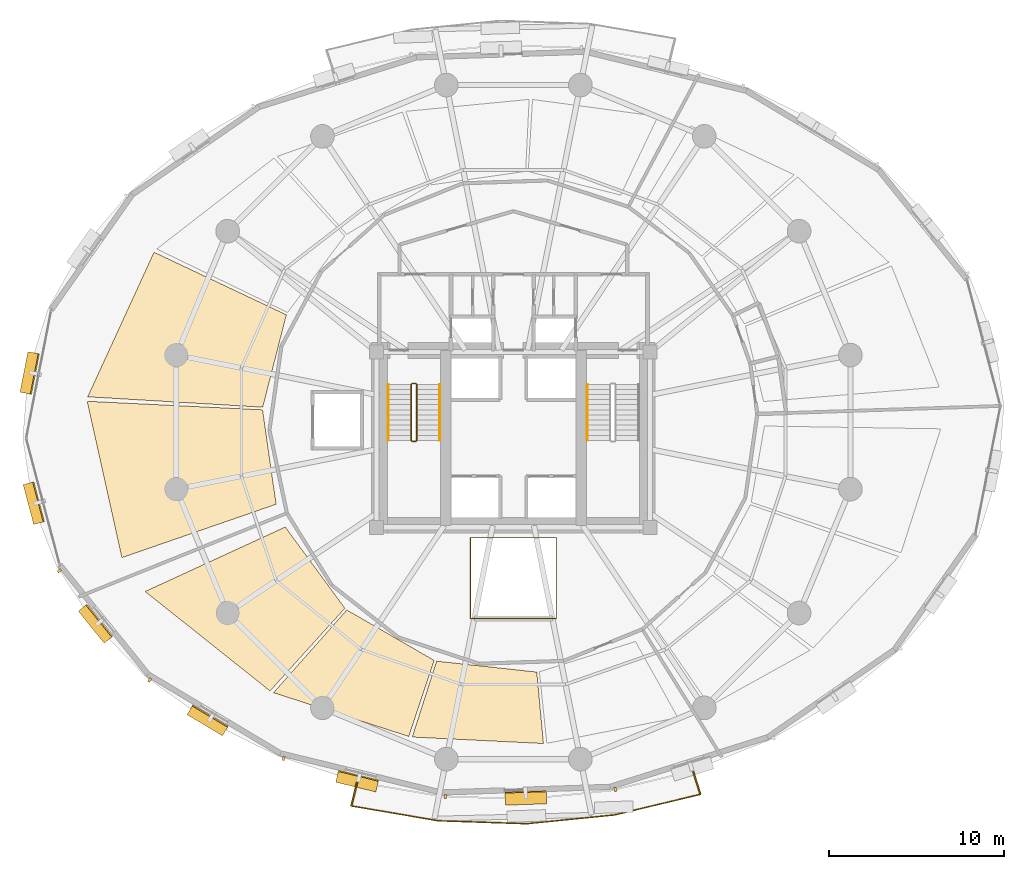
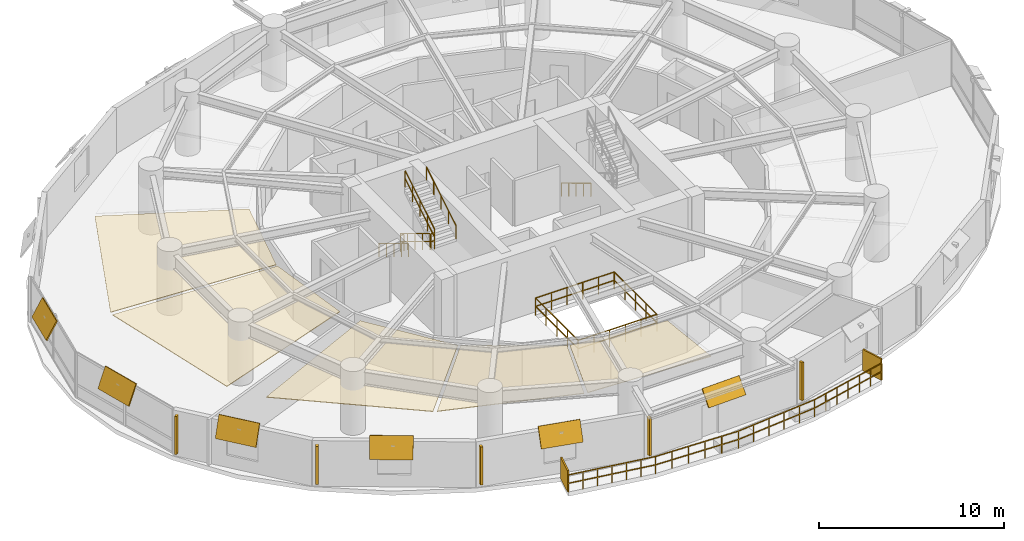
# One storey, part 13 of 15: 13 shading devices, 9 railings, 5 coverings.
"""IFC4 building model written with IfcOpenShell, lengths in metres."""

from ifc_helpers import new_model, si_unit, direction, frame, origin, origin_2d, place, context, subcontext, project, spatial, polyline, rectangle, outline, extrude, material, layer, layer_set, type_object, element, save


model = new_model("IFC4")

# Units and contexts
model_context = context("Model", 3, precision=1e-05, world=origin(), true_north=direction((0.0, 1.0)))
body_context = subcontext(model_context, "Body", "Model", "MODEL_VIEW")
ifc_project = project(units=[si_unit("LENGTHUNIT", "METRE"), si_unit("AREAUNIT", "SQUARE_METRE"), si_unit("VOLUMEUNIT", "CUBIC_METRE"), si_unit("PLANEANGLEUNIT", "RADIAN"), si_unit("MASSUNIT", "GRAM", prefix="KILO"), si_unit("THERMODYNAMICTEMPERATUREUNIT", "KELVIN"), si_unit("POWERUNIT", "WATT")], contexts=[model_context])

# Site, building, storey
site_placement = place(None, origin())
site = spatial("IfcSite", under=ifc_project, at=site_placement, CompositionType="ELEMENT")
building_placement = place(site_placement, origin())
building = spatial("IfcBuilding", under=site, at=building_placement, Name="Ocrelia Relay Tower", CompositionType="ELEMENT")
storey_placement = place(building_placement, frame((0.0, 0.0, 38.39990234375)))
storey = spatial("IfcBuildingStorey", under=building, at=storey_placement, Name="L08", CompositionType="ELEMENT", Elevation=38.39990234375)

# Coverings
ifc_material_1 = material(Name="Cleanroom metal-pan acoustic ceiling", Category="aluminium")
ifc_layer_1 = layer(ifc_material_1, 0.0400390625, Name="Cleanroom metal-pan acoustic ceiling")
ifc_layer_set_1 = layer_set([ifc_layer_1], Name="Cleanroom metal-pan acoustic ceiling")
covering_type = type_object("IfcCoveringType", Name="COV-CEIL-CLEAN", PredefinedType="CEILING", material=ifc_layer_set_1)
covering_1_placement = place(storey_placement, frame((0.0, 0.0, 2.920166015625)))
element("IfcCovering", 1, at=covering_1_placement, inside=storey, type_object=covering_type, Name="L08 Colocation Data Hall A Suspended Ceiling 5", PredefinedType="CEILING", context=body_context, shape_type="SweptSolid", body=[
    extrude(outline(polyline([(21.053466796875, 32.119873046875), (13.504638671875, 35.68798828125), (9.721435546875, 27.4423828125), (19.705078125, 26.849365234375), (21.053466796875, 32.119873046875)])), origin(), (0.0, 0.0, 1.0), 0.0400390625),
])
covering_2_placement = place(storey_placement, frame((0.0, 0.0, 2.920166015625)))
element("IfcCovering", 2, at=covering_2_placement, inside=storey, type_object=covering_type, Name="L08 Colocation Data Hall A Suspended Ceiling 6", PredefinedType="CEILING", context=body_context, shape_type="SweptSolid", body=[
    extrude(outline(polyline([(19.697021484375, 26.699462890625), (9.69091796875, 27.18896484375), (11.671875, 18.268310546875), (20.46826171875, 21.314208984375), (19.697021484375, 26.699462890625)])), origin(), (0.0, 0.0, 1.0), 0.0400390625),
])
covering_3_placement = place(storey_placement, frame((0.0, 0.0, 2.920166015625)))
element("IfcCovering", 3, at=covering_3_placement, inside=storey, type_object=covering_type, Name="L08 Hardware Testing Laboratory Suspended Ceiling 1", PredefinedType="CEILING", context=body_context, shape_type="SweptSolid", body=[
    extrude(outline(polyline([(20.990234375, 20.01611328125), (12.996337890625, 16.33935546875), (20.12060546875, 10.66650390625), (24.39013671875, 15.38330078125), (20.990234375, 20.01611328125)])), origin(), (0.0, 0.0, 1.0), 0.0400390625),
])
covering_4_placement = place(storey_placement, frame((0.0, 0.0, 2.920166015625)))
element("IfcCovering", 4, at=covering_4_placement, inside=storey, type_object=covering_type, Name="L08 Hardware Testing Laboratory Suspended Ceiling 2", PredefinedType="CEILING", context=body_context, shape_type="SweptSolid", body=[
    extrude(outline(polyline([(24.501953125, 15.283203125), (20.321044921875, 10.56591796875), (28.03515625, 8.069091796875), (29.47998046875, 12.412109375), (24.501953125, 15.283203125)])), origin(), (0.0, 0.0, 1.0), 0.0400390625),
])
covering_5_placement = place(storey_placement, frame((0.0, 0.0, 2.920166015625)))
element("IfcCovering", 5, at=covering_5_placement, inside=storey, type_object=covering_type, Name="L08 Hardware Testing Laboratory Suspended Ceiling 3", PredefinedType="CEILING", context=body_context, shape_type="SweptSolid", body=[
    extrude(outline(polyline([(29.622314453125, 12.365478515625), (28.232177734375, 8.034912109375), (35.716796875, 7.665771484375), (35.335205078125, 11.742431640625), (29.622314453125, 12.365478515625)])), origin(), (0.0, 0.0, 1.0), 0.0400390625),
])

# Railings
ifc_material_2 = material(Name="Steel S355 balustrade", Category="steel")
railing_type_1 = type_object("IfcRailingType", Name="RL-EXT-GUARD-1150", PredefinedType="GUARDRAIL", material=ifc_material_2)
railing_1_placement = place(storey_placement, frame((44.250244140625, 6.096435546875, 0.0)))
element("IfcRailing", 6, at=railing_1_placement, inside=storey, type_object=railing_type_1, Name="L08 Loggia Balcony Guard Rail B2", PredefinedType="GUARDRAIL", context=body_context, shape_type="SweptSolid", body=[
    extrude(rectangle(XDim=0.048095703125, YDim=0.048095703125, at=origin_2d()), frame((0.0, 0.0, 1.1259765625), z_axis=(0.301735100856, -0.953391802415, 0.0), x_axis=(0.953391802415, 0.301735100856, 0.0)), (0.0, 0.0, 1.0), 1.393310546875),
    extrude(rectangle(XDim=0.048095703125, YDim=0.048095703125, at=origin_2d()), frame((0.0, 0.0, 0.574951171875), z_axis=(0.301735100856, -0.953391802415, 0.0), x_axis=(0.953391802415, 0.301735100856, 0.0)), (0.0, 0.0, 1.0), 1.393310546875),
    extrude(rectangle(XDim=0.048095703125, YDim=0.048095703125, at=origin_2d()), frame((0.42041015625, -1.328369140625, 1.1259765625), z_axis=(-0.972259766282, -0.233903712818, 0.0), x_axis=(0.233903712818, -0.972259766282, 0.0)), (0.0, 0.0, 1.0), 2.505126953125),
    extrude(rectangle(XDim=0.048095703125, YDim=0.048095703125, at=origin_2d()), frame((0.42041015625, -1.328369140625, 0.574951171875), z_axis=(-0.972259766282, -0.233903712818, 0.0), x_axis=(0.233903712818, -0.972259766282, 0.0)), (0.0, 0.0, 1.0), 2.505126953125),
    extrude(rectangle(XDim=0.048095703125, YDim=0.048095703125, at=origin_2d()), frame((-2.01513671875, -1.914306640625, 1.1259765625), z_axis=(-0.972254433401, -0.233925878713, 0.0), x_axis=(0.233925878713, -0.972254433401, 0.0)), (0.0, 0.0, 1.0), 2.5048828125),
    extrude(rectangle(XDim=0.048095703125, YDim=0.048095703125, at=origin_2d()), frame((-2.01513671875, -1.914306640625, 0.574951171875), z_axis=(-0.972254433401, -0.233925878713, 0.0), x_axis=(0.233925878713, -0.972254433401, 0.0)), (0.0, 0.0, 1.0), 2.5048828125),
    extrude(rectangle(XDim=0.048095703125, YDim=0.048095703125, at=origin_2d()), frame((-4.450439453125, -2.500244140625, 1.1259765625), z_axis=(-0.994981198551, -0.100062053393, 0.0), x_axis=(0.100062053393, -0.994981198551, 0.0)), (0.0, 0.0, 1.0), 5.065185546875),
    extrude(rectangle(XDim=0.048095703125, YDim=0.048095703125, at=origin_2d()), frame((-4.450439453125, -2.500244140625, 0.574951171875), z_axis=(-0.994981198551, -0.100062053393, 0.0), x_axis=(0.100062053393, -0.994981198551, 0.0)), (0.0, 0.0, 1.0), 5.065185546875),
    extrude(rectangle(XDim=0.048095703125, YDim=0.048095703125, at=origin_2d()), frame((-9.490234375, -3.007080078125, 1.1259765625), z_axis=(-0.999424120041, 0.033932702219, 0.0), x_axis=(-0.033932702219, -0.999424120041, 0.0)), (0.0, 0.0, 1.0), 5.065185546875),
    extrude(rectangle(XDim=0.048095703125, YDim=0.048095703125, at=origin_2d()), frame((-9.490234375, -3.007080078125, 0.574951171875), z_axis=(-0.999424120041, 0.033932702219, 0.0), x_axis=(-0.033932702219, -0.999424120041, 0.0)), (0.0, 0.0, 1.0), 5.065185546875),
    extrude(rectangle(XDim=0.048095703125, YDim=0.048095703125, at=origin_2d()), frame((-14.552490234375, -2.835205078125, 1.1259765625), z_axis=(-0.985632918791, 0.168901596783, 0.0), x_axis=(-0.168901596783, -0.985632918791, 0.0)), (0.0, 0.0, 1.0), 2.5048828125),
    extrude(rectangle(XDim=0.048095703125, YDim=0.048095703125, at=origin_2d()), frame((-14.552490234375, -2.835205078125, 0.574951171875), z_axis=(-0.985632918791, 0.168901596783, 0.0), x_axis=(-0.168901596783, -0.985632918791, 0.0)), (0.0, 0.0, 1.0), 2.5048828125),
    extrude(rectangle(XDim=0.048095703125, YDim=0.048095703125, at=origin_2d()), frame((-17.021484375, -2.412109375, 1.1259765625), z_axis=(-0.985632918791, 0.168901596783, 0.0), x_axis=(-0.168901596783, -0.985632918791, 0.0)), (0.0, 0.0, 1.0), 2.5048828125),
    extrude(rectangle(XDim=0.048095703125, YDim=0.048095703125, at=origin_2d()), frame((-17.021484375, -2.412109375, 0.574951171875), z_axis=(-0.985632918791, 0.168901596783, 0.0), x_axis=(-0.168901596783, -0.985632918791, 0.0)), (0.0, 0.0, 1.0), 2.5048828125),
    extrude(rectangle(XDim=0.048095703125, YDim=0.048095703125, at=origin_2d()), frame((-19.490478515625, -1.989013671875, 1.1259765625), z_axis=(0.23791595281, 0.971285745493, 0.0), x_axis=(-0.971285745493, 0.23791595281, 0.0)), (0.0, 0.0, 1.0), 1.3935546875),
    extrude(rectangle(XDim=0.048095703125, YDim=0.048095703125, at=origin_2d()), frame((-19.490478515625, -1.989013671875, 0.574951171875), z_axis=(0.23791595281, 0.971285745493, 0.0), x_axis=(-0.971285745493, 0.23791595281, 0.0)), (0.0, 0.0, 1.0), 1.3935546875),
    extrude(rectangle(XDim=0.0419921875, YDim=0.0419921875, at=origin_2d()), origin(), (0.0, 0.0, 1.0), 1.101806640625),
    extrude(rectangle(XDim=0.0419921875, YDim=0.0419921875, at=origin_2d()), frame((0.210205078125, -0.6640625, 0.0)), (0.0, 0.0, 1.0), 1.101806640625),
    extrude(rectangle(XDim=0.0419921875, YDim=0.0419921875, at=origin_2d()), frame((0.42041015625, -1.328369140625, 0.0)), (0.0, 0.0, 1.0), 1.101806640625),
    extrude(rectangle(XDim=0.0419921875, YDim=0.0419921875, at=origin_2d()), frame((-0.391357421875, -1.523681640625, 0.0)), (0.0, 0.0, 1.0), 1.101806640625),
    extrude(rectangle(XDim=0.0419921875, YDim=0.0419921875, at=origin_2d()), frame((-1.203369140625, -1.718994140625, 0.0)), (0.0, 0.0, 1.0), 1.101806640625),
    extrude(rectangle(XDim=0.0419921875, YDim=0.0419921875, at=origin_2d()), frame((-2.01513671875, -1.914306640625, 0.0)), (0.0, 0.0, 1.0), 1.101806640625),
    extrude(rectangle(XDim=0.0419921875, YDim=0.0419921875, at=origin_2d()), frame((-2.826904296875, -2.109619140625, 0.0)), (0.0, 0.0, 1.0), 1.101806640625),
    extrude(rectangle(XDim=0.0419921875, YDim=0.0419921875, at=origin_2d()), frame((-3.638671875, -2.304931640625, 0.0)), (0.0, 0.0, 1.0), 1.101806640625),
    extrude(rectangle(XDim=0.0419921875, YDim=0.0419921875, at=origin_2d()), frame((-4.450439453125, -2.500244140625, 0.0)), (0.0, 0.0, 1.0), 1.101806640625),
    extrude(rectangle(XDim=0.0419921875, YDim=0.0419921875, at=origin_2d()), frame((-5.45849609375, -2.6015625, 0.0)), (0.0, 0.0, 1.0), 1.101806640625),
    extrude(rectangle(XDim=0.0419921875, YDim=0.0419921875, at=origin_2d()), frame((-6.46630859375, -2.702880859375, 0.0)), (0.0, 0.0, 1.0), 1.101806640625),
    extrude(rectangle(XDim=0.0419921875, YDim=0.0419921875, at=origin_2d()), frame((-7.474365234375, -2.804443359375, 0.0)), (0.0, 0.0, 1.0), 1.101806640625),
    extrude(rectangle(XDim=0.0419921875, YDim=0.0419921875, at=origin_2d()), frame((-8.482177734375, -2.90576171875, 0.0)), (0.0, 0.0, 1.0), 1.101806640625),
    extrude(rectangle(XDim=0.0419921875, YDim=0.0419921875, at=origin_2d()), frame((-9.490234375, -3.007080078125, 0.0)), (0.0, 0.0, 1.0), 1.101806640625),
    extrude(rectangle(XDim=0.0419921875, YDim=0.0419921875, at=origin_2d()), frame((-10.502685546875, -2.97265625, 0.0)), (0.0, 0.0, 1.0), 1.101806640625),
    extrude(rectangle(XDim=0.0419921875, YDim=0.0419921875, at=origin_2d()), frame((-11.51513671875, -2.938232421875, 0.0)), (0.0, 0.0, 1.0), 1.101806640625),
    extrude(rectangle(XDim=0.0419921875, YDim=0.0419921875, at=origin_2d()), frame((-12.527587890625, -2.904052734375, 0.0)), (0.0, 0.0, 1.0), 1.101806640625),
    extrude(rectangle(XDim=0.0419921875, YDim=0.0419921875, at=origin_2d()), frame((-13.5400390625, -2.86962890625, 0.0)), (0.0, 0.0, 1.0), 1.101806640625),
    extrude(rectangle(XDim=0.0419921875, YDim=0.0419921875, at=origin_2d()), frame((-14.552490234375, -2.835205078125, 0.0)), (0.0, 0.0, 1.0), 1.101806640625),
    extrude(rectangle(XDim=0.0419921875, YDim=0.0419921875, at=origin_2d()), frame((-15.37548828125, -2.694091796875, 0.0)), (0.0, 0.0, 1.0), 1.101806640625),
    extrude(rectangle(XDim=0.0419921875, YDim=0.0419921875, at=origin_2d()), frame((-16.198486328125, -2.55322265625, 0.0)), (0.0, 0.0, 1.0), 1.101806640625),
    extrude(rectangle(XDim=0.0419921875, YDim=0.0419921875, at=origin_2d()), frame((-17.021484375, -2.412109375, 0.0)), (0.0, 0.0, 1.0), 1.101806640625),
    extrude(rectangle(XDim=0.0419921875, YDim=0.0419921875, at=origin_2d()), frame((-17.844482421875, -2.27099609375, 0.0)), (0.0, 0.0, 1.0), 1.101806640625),
    extrude(rectangle(XDim=0.0419921875, YDim=0.0419921875, at=origin_2d()), frame((-18.66748046875, -2.130126953125, 0.0)), (0.0, 0.0, 1.0), 1.101806640625),
    extrude(rectangle(XDim=0.0419921875, YDim=0.0419921875, at=origin_2d()), frame((-19.490478515625, -1.989013671875, 0.0)), (0.0, 0.0, 1.0), 1.101806640625),
    extrude(rectangle(XDim=0.0419921875, YDim=0.0419921875, at=origin_2d()), frame((-19.32470703125, -1.312255859375, 0.0)), (0.0, 0.0, 1.0), 1.101806640625),
    extrude(rectangle(XDim=0.0419921875, YDim=0.0419921875, at=origin_2d()), frame((-19.158935546875, -0.635498046875, 0.0)), (0.0, 0.0, 1.0), 1.101806640625),
])
ifc_material_3 = material(Name="Steel S355 atrium balustrade", Category="steel")
railing_type_2 = type_object("IfcRailingType", Name="RL-INT-GUARD-115", PredefinedType="GUARDRAIL", material=ifc_material_3)
railing_2_placement = place(storey_placement, frame((31.550048828125, 14.800048828125, 0.0)))
element("IfcRailing", 7, at=railing_2_placement, inside=storey, type_object=railing_type_2, Name="L08 Multi-Zone Interior Atrium Guard", PredefinedType="GUARDRAIL", context=body_context, shape_type="SweptSolid", body=[
    extrude(rectangle(XDim=0.048095703125, YDim=0.048095703125, at=origin_2d()), frame((0.0, 0.0, 1.1259765625), z_axis=(1.0, 0.0, 0.0), x_axis=(0.0, 1.0, 0.0)), (0.0, 0.0, 1.0), 4.89990234375),
    extrude(rectangle(XDim=0.048095703125, YDim=0.048095703125, at=origin_2d()), frame((0.0, 0.0, 0.574951171875), z_axis=(1.0, 0.0, 0.0), x_axis=(0.0, 1.0, 0.0)), (0.0, 0.0, 1.0), 4.89990234375),
    extrude(rectangle(XDim=0.048095703125, YDim=0.048095703125, at=origin_2d()), frame((4.89990234375, 0.0, 1.1259765625), z_axis=(0.0, 1.0, 0.0), x_axis=(-1.0, 0.0, 0.0)), (0.0, 0.0, 1.0), 4.599853515625),
    extrude(rectangle(XDim=0.048095703125, YDim=0.048095703125, at=origin_2d()), frame((4.89990234375, 0.0, 0.574951171875), z_axis=(0.0, 1.0, 0.0), x_axis=(-1.0, 0.0, 0.0)), (0.0, 0.0, 1.0), 4.599853515625),
    extrude(rectangle(XDim=0.048095703125, YDim=0.048095703125, at=origin_2d()), frame((4.89990234375, 4.599853515625, 1.1259765625), z_axis=(-1.0, 0.0, 0.0), x_axis=(0.0, -1.0, 0.0)), (0.0, 0.0, 1.0), 4.89990234375),
    extrude(rectangle(XDim=0.048095703125, YDim=0.048095703125, at=origin_2d()), frame((4.89990234375, 4.599853515625, 0.574951171875), z_axis=(-1.0, 0.0, 0.0), x_axis=(0.0, -1.0, 0.0)), (0.0, 0.0, 1.0), 4.89990234375),
    extrude(rectangle(XDim=0.048095703125, YDim=0.048095703125, at=origin_2d()), frame((0.0, 4.599853515625, 1.1259765625), z_axis=(0.0, -1.0, 0.0), x_axis=(1.0, 0.0, 0.0)), (0.0, 0.0, 1.0), 4.599853515625),
    extrude(rectangle(XDim=0.048095703125, YDim=0.048095703125, at=origin_2d()), frame((0.0, 4.599853515625, 0.574951171875), z_axis=(0.0, -1.0, 0.0), x_axis=(1.0, 0.0, 0.0)), (0.0, 0.0, 1.0), 4.599853515625),
    extrude(rectangle(XDim=0.0419921875, YDim=0.0419921875, at=origin_2d()), origin(), (0.0, 0.0, 1.0), 1.101806640625),
    extrude(rectangle(XDim=0.0419921875, YDim=0.0419921875, at=origin_2d()), frame((0.97998046875, 0.0, 0.0)), (0.0, 0.0, 1.0), 1.101806640625),
    extrude(rectangle(XDim=0.0419921875, YDim=0.0419921875, at=origin_2d()), frame((1.9599609375, 0.0, 0.0)), (0.0, 0.0, 1.0), 1.101806640625),
    extrude(rectangle(XDim=0.0419921875, YDim=0.0419921875, at=origin_2d()), frame((2.93994140625, 0.0, 0.0)), (0.0, 0.0, 1.0), 1.101806640625),
    extrude(rectangle(XDim=0.0419921875, YDim=0.0419921875, at=origin_2d()), frame((3.919921875, 0.0, 0.0)), (0.0, 0.0, 1.0), 1.101806640625),
    extrude(rectangle(XDim=0.0419921875, YDim=0.0419921875, at=origin_2d()), frame((4.89990234375, 0.0, 0.0)), (0.0, 0.0, 1.0), 1.101806640625),
    extrude(rectangle(XDim=0.0419921875, YDim=0.0419921875, at=origin_2d()), frame((4.89990234375, 1.14990234375, 0.0)), (0.0, 0.0, 1.0), 1.101806640625),
    extrude(rectangle(XDim=0.0419921875, YDim=0.0419921875, at=origin_2d()), frame((4.89990234375, 2.2998046875, 0.0)), (0.0, 0.0, 1.0), 1.101806640625),
    extrude(rectangle(XDim=0.0419921875, YDim=0.0419921875, at=origin_2d()), frame((4.89990234375, 3.449951171875, 0.0)), (0.0, 0.0, 1.0), 1.101806640625),
    extrude(rectangle(XDim=0.0419921875, YDim=0.0419921875, at=origin_2d()), frame((4.89990234375, 4.599853515625, 0.0)), (0.0, 0.0, 1.0), 1.101806640625),
    extrude(rectangle(XDim=0.0419921875, YDim=0.0419921875, at=origin_2d()), frame((3.919921875, 4.599853515625, 0.0)), (0.0, 0.0, 1.0), 1.101806640625),
    extrude(rectangle(XDim=0.0419921875, YDim=0.0419921875, at=origin_2d()), frame((2.93994140625, 4.599853515625, 0.0)), (0.0, 0.0, 1.0), 1.101806640625),
    extrude(rectangle(XDim=0.0419921875, YDim=0.0419921875, at=origin_2d()), frame((1.9599609375, 4.599853515625, 0.0)), (0.0, 0.0, 1.0), 1.101806640625),
    extrude(rectangle(XDim=0.0419921875, YDim=0.0419921875, at=origin_2d()), frame((0.97998046875, 4.599853515625, 0.0)), (0.0, 0.0, 1.0), 1.101806640625),
    extrude(rectangle(XDim=0.0419921875, YDim=0.0419921875, at=origin_2d()), frame((0.0, 4.599853515625, 0.0)), (0.0, 0.0, 1.0), 1.101806640625),
    extrude(rectangle(XDim=0.0419921875, YDim=0.0419921875, at=origin_2d()), frame((0.0, 3.449951171875, 0.0)), (0.0, 0.0, 1.0), 1.101806640625),
    extrude(rectangle(XDim=0.0419921875, YDim=0.0419921875, at=origin_2d()), frame((0.0, 2.2998046875, 0.0)), (0.0, 0.0, 1.0), 1.101806640625),
    extrude(rectangle(XDim=0.0419921875, YDim=0.0419921875, at=origin_2d()), frame((0.0, 1.14990234375, 0.0)), (0.0, 0.0, 1.0), 1.101806640625),
])
railing_type_3 = type_object("IfcRailingType", Name="RL-STAIR-GUARD", PredefinedType="GUARDRAIL", material=ifc_material_2)
railing_3_placement = place(storey_placement, frame((28.179931640625, 28.14990234375, 0.175048828125)))
element("IfcRailing", 8, at=railing_3_placement, inside=storey, type_object=railing_type_3, Name="L08 ST1 stair guard 1", PredefinedType="GUARDRAIL", context=body_context, shape_type="SweptSolid", body=[
    extrude(rectangle(XDim=0.048095703125, YDim=0.048095703125, at=origin_2d()), frame((0.0, 0.0, 1.076171875), z_axis=(0.0, -0.856177665481, 0.516681531633), x_axis=(1.0, 0.0, 0.0)), (0.0, 0.0, 1.0), 3.725830078125),
    extrude(rectangle(XDim=0.048095703125, YDim=0.048095703125, at=origin_2d()), frame((0.0, 0.0, 0.550048828125), z_axis=(0.0, -0.856177665481, 0.516681531633), x_axis=(1.0, 0.0, 0.0)), (0.0, 0.0, 1.0), 3.725830078125),
    extrude(rectangle(XDim=0.0419921875, YDim=0.0419921875, at=origin_2d()), origin(), (0.0, 0.0, 1.0), 1.052001953125),
    extrude(rectangle(XDim=0.0419921875, YDim=0.0419921875, at=origin_2d()), frame((0.0, -0.79736328125, 0.481201171875)), (0.0, 0.0, 1.0), 1.052001953125),
    extrude(rectangle(XDim=0.0419921875, YDim=0.0419921875, at=origin_2d()), frame((0.0, -1.594970703125, 0.96240234375)), (0.0, 0.0, 1.0), 1.052001953125),
    extrude(rectangle(XDim=0.0419921875, YDim=0.0419921875, at=origin_2d()), frame((0.0, -2.392578125, 1.44384765625)), (0.0, 0.0, 1.0), 1.052001953125),
    extrude(rectangle(XDim=0.0419921875, YDim=0.0419921875, at=origin_2d()), frame((0.0, -3.18994140625, 1.925048828125)), (0.0, 0.0, 1.0), 1.052001953125),
])
railing_4_placement = place(storey_placement, frame((28.22998046875, 24.909912109375, 2.10009765625)))
element("IfcRailing", 9, at=railing_4_placement, inside=storey, type_object=railing_type_3, Name="L08 ST1 stair guard 2", PredefinedType="GUARDRAIL", context=body_context, shape_type="SweptSolid", body=[
    extrude(rectangle(XDim=0.048095703125, YDim=0.048095703125, at=origin_2d()), frame((0.0, 0.0, 1.076171875), z_axis=(1.0, 0.0, 0.0), x_axis=(0.0, 1.0, 0.0)), (0.0, 0.0, 1.0), 0.199951171875),
    extrude(rectangle(XDim=0.048095703125, YDim=0.048095703125, at=origin_2d()), frame((0.0, 0.0, 0.550048828125), z_axis=(1.0, 0.0, 0.0), x_axis=(0.0, 1.0, 0.0)), (0.0, 0.0, 1.0), 0.199951171875),
    extrude(rectangle(XDim=0.0419921875, YDim=0.0419921875, at=origin_2d()), origin(), (0.0, 0.0, 1.0), 1.052001953125),
    extrude(rectangle(XDim=0.0419921875, YDim=0.0419921875, at=origin_2d()), frame((0.199951171875, 0.0, 0.0)), (0.0, 0.0, 1.0), 1.052001953125),
])
railing_5_placement = place(storey_placement, frame((28.47998046875, 24.9599609375, 2.275146484375)))
element("IfcRailing", 10, at=railing_5_placement, inside=storey, type_object=railing_type_3, Name="L08 ST1 stair guard 3", PredefinedType="GUARDRAIL", context=body_context, shape_type="SweptSolid", body=[
    extrude(rectangle(XDim=0.048095703125, YDim=0.048095703125, at=origin_2d()), frame((0.0, 0.0, 1.076171875), z_axis=(0.0, 0.856177665481, 0.516681531633), x_axis=(-1.0, 0.0, 0.0)), (0.0, 0.0, 1.0), 3.725830078125),
    extrude(rectangle(XDim=0.048095703125, YDim=0.048095703125, at=origin_2d()), frame((0.0, 0.0, 0.550048828125), z_axis=(0.0, 0.856177665481, 0.516681531633), x_axis=(-1.0, 0.0, 0.0)), (0.0, 0.0, 1.0), 3.725830078125),
    extrude(rectangle(XDim=0.0419921875, YDim=0.0419921875, at=origin_2d()), origin(), (0.0, 0.0, 1.0), 1.052001953125),
    extrude(rectangle(XDim=0.0419921875, YDim=0.0419921875, at=origin_2d()), frame((0.0, 0.79736328125, 0.481201171875)), (0.0, 0.0, 1.0), 1.052001953125),
    extrude(rectangle(XDim=0.0419921875, YDim=0.0419921875, at=origin_2d()), frame((0.0, 1.594970703125, 0.96240234375)), (0.0, 0.0, 1.0), 1.052001953125),
    extrude(rectangle(XDim=0.0419921875, YDim=0.0419921875, at=origin_2d()), frame((0.0, 2.392578125, 1.44384765625)), (0.0, 0.0, 1.0), 1.052001953125),
    extrude(rectangle(XDim=0.0419921875, YDim=0.0419921875, at=origin_2d()), frame((0.0, 3.18994140625, 1.925048828125)), (0.0, 0.0, 1.0), 1.052001953125),
])
railing_6_placement = place(storey_placement, frame((28.22998046875, 28.199951171875, 0.0)))
element("IfcRailing", 11, at=railing_6_placement, inside=storey, type_object=railing_type_3, Name="L08 ST1 stair guard 4", PredefinedType="GUARDRAIL", context=body_context, shape_type="SweptSolid", body=[
    extrude(rectangle(XDim=0.048095703125, YDim=0.048095703125, at=origin_2d()), frame((0.0, 0.0, 1.076171875), z_axis=(1.0, 0.0, 0.0), x_axis=(0.0, 1.0, 0.0)), (0.0, 0.0, 1.0), 0.199951171875),
    extrude(rectangle(XDim=0.048095703125, YDim=0.048095703125, at=origin_2d()), frame((0.0, 0.0, 0.550048828125), z_axis=(1.0, 0.0, 0.0), x_axis=(0.0, 1.0, 0.0)), (0.0, 0.0, 1.0), 0.199951171875),
    extrude(rectangle(XDim=0.0419921875, YDim=0.0419921875, at=origin_2d()), origin(), (0.0, 0.0, 1.0), 1.052001953125),
    extrude(rectangle(XDim=0.0419921875, YDim=0.0419921875, at=origin_2d()), frame((0.199951171875, 0.0, 0.0)), (0.0, 0.0, 1.0), 1.052001953125),
])
ifc_material_4 = material(Name="Steel S355 tubular handrail", Category="steel")
railing_type_4 = type_object("IfcRailingType", Name="RL-STAIR-HAND", PredefinedType="HANDRAIL", material=ifc_material_4)
railing_7_placement = place(storey_placement, frame((26.860107421875, 28.14990234375, 0.175048828125)))
element("IfcRailing", 12, at=railing_7_placement, inside=storey, type_object=railing_type_4, Name="L08 ST1 stair handrail 1", PredefinedType="HANDRAIL", context=body_context, shape_type="SweptSolid", body=[
    extrude(rectangle(XDim=0.048095703125, YDim=0.048095703125, at=origin_2d()), frame((0.0, 0.0, 0.8759765625), z_axis=(0.0, -0.856177665481, 0.516681531633), x_axis=(1.0, 0.0, 0.0)), (0.0, 0.0, 1.0), 3.725830078125),
    extrude(rectangle(XDim=0.0419921875, YDim=0.0419921875, at=origin_2d()), origin(), (0.0, 0.0, 1.0), 0.851806640625),
    extrude(rectangle(XDim=0.0419921875, YDim=0.0419921875, at=origin_2d()), frame((0.0, -0.79736328125, 0.481201171875)), (0.0, 0.0, 1.0), 0.851806640625),
    extrude(rectangle(XDim=0.0419921875, YDim=0.0419921875, at=origin_2d()), frame((0.0, -1.594970703125, 0.96240234375)), (0.0, 0.0, 1.0), 0.851806640625),
    extrude(rectangle(XDim=0.0419921875, YDim=0.0419921875, at=origin_2d()), frame((0.0, -2.392578125, 1.44384765625)), (0.0, 0.0, 1.0), 0.851806640625),
    extrude(rectangle(XDim=0.0419921875, YDim=0.0419921875, at=origin_2d()), frame((0.0, -3.18994140625, 1.925048828125)), (0.0, 0.0, 1.0), 0.851806640625),
])
railing_8_placement = place(storey_placement, frame((29.800048828125, 24.9599609375, 2.275146484375)))
element("IfcRailing", 13, at=railing_8_placement, inside=storey, type_object=railing_type_4, Name="L08 ST1 stair handrail 2", PredefinedType="HANDRAIL", context=body_context, shape_type="SweptSolid", body=[
    extrude(rectangle(XDim=0.048095703125, YDim=0.048095703125, at=origin_2d()), frame((0.0, 0.0, 0.8759765625), z_axis=(0.0, 0.856177665481, 0.516681531633), x_axis=(-1.0, 0.0, 0.0)), (0.0, 0.0, 1.0), 3.725830078125),
    extrude(rectangle(XDim=0.0419921875, YDim=0.0419921875, at=origin_2d()), origin(), (0.0, 0.0, 1.0), 0.851806640625),
    extrude(rectangle(XDim=0.0419921875, YDim=0.0419921875, at=origin_2d()), frame((0.0, 0.79736328125, 0.481201171875)), (0.0, 0.0, 1.0), 0.851806640625),
    extrude(rectangle(XDim=0.0419921875, YDim=0.0419921875, at=origin_2d()), frame((0.0, 1.594970703125, 0.96240234375)), (0.0, 0.0, 1.0), 0.851806640625),
    extrude(rectangle(XDim=0.0419921875, YDim=0.0419921875, at=origin_2d()), frame((0.0, 2.392578125, 1.44384765625)), (0.0, 0.0, 1.0), 0.851806640625),
    extrude(rectangle(XDim=0.0419921875, YDim=0.0419921875, at=origin_2d()), frame((0.0, 3.18994140625, 1.925048828125)), (0.0, 0.0, 1.0), 0.851806640625),
])
railing_9_placement = place(storey_placement, frame((38.2099609375, 28.14990234375, 0.175048828125)))
element("IfcRailing", 14, at=railing_9_placement, inside=storey, type_object=railing_type_4, Name="L08 ST2 stair handrail 1", PredefinedType="HANDRAIL", context=body_context, shape_type="SweptSolid", body=[
    extrude(rectangle(XDim=0.048095703125, YDim=0.048095703125, at=origin_2d()), frame((0.0, 0.0, 0.8759765625), z_axis=(0.0, -0.856177665481, 0.516681531633), x_axis=(1.0, 0.0, 0.0)), (0.0, 0.0, 1.0), 3.725830078125),
    extrude(rectangle(XDim=0.0419921875, YDim=0.0419921875, at=origin_2d()), origin(), (0.0, 0.0, 1.0), 0.851806640625),
    extrude(rectangle(XDim=0.0419921875, YDim=0.0419921875, at=origin_2d()), frame((0.0, -0.79736328125, 0.481201171875)), (0.0, 0.0, 1.0), 0.851806640625),
    extrude(rectangle(XDim=0.0419921875, YDim=0.0419921875, at=origin_2d()), frame((0.0, -1.594970703125, 0.96240234375)), (0.0, 0.0, 1.0), 0.851806640625),
    extrude(rectangle(XDim=0.0419921875, YDim=0.0419921875, at=origin_2d()), frame((0.0, -2.392578125, 1.44384765625)), (0.0, 0.0, 1.0), 0.851806640625),
    extrude(rectangle(XDim=0.0419921875, YDim=0.0419921875, at=origin_2d()), frame((0.0, -3.18994140625, 1.925048828125)), (0.0, 0.0, 1.0), 0.851806640625),
])

# Shading devices
ifc_material_5 = material(Name="Perforated oxide terracotta solar screen", Category="masonry")
ifc_layer_2 = layer(ifc_material_5, 0.090087890625, Name="Perforated oxide terracotta solar screen")
ifc_layer_set_2 = layer_set([ifc_layer_2], Name="Perforated oxide terracotta solar screen")
shading_device_type_1 = type_object("IfcShadingDeviceType", Name="SH-BALC-SCREEN", PredefinedType="USERDEFINED", material=ifc_layer_set_2)
for number, where, z_axis, x_axis, name in (
    (15, (24.925537109375, 4.7841796875, 0.000244140625), (0.0, 0.0, 1.0), (-0.23788945417, -0.971292235939, 0.0), "L08 Balcony Perforated Terracotta Screen B2-1"),
    (16, (44.46044921875, 5.43212890625, 0.000244140625), (0.0, 0.0, 1.0), (0.30176669072, -0.953381804091, 0.0), "L08 Balcony Perforated Terracotta Screen B2-2"),
):
    element("IfcShadingDevice", number, at=place(storey_placement, frame(where, z_axis=z_axis, x_axis=x_axis)), inside=storey, type_object=shading_device_type_1, Name=name, ObjectType="SCREEN", PredefinedType="USERDEFINED", context=body_context, shape_type="SweptSolid", body=[
        extrude(rectangle(XDim=1.340087890625, YDim=0.090087890625, at=origin_2d()), origin(), (0.0, 0.0, 1.0), 1.39990234375),
    ])
ifc_material_6 = material(Name="Extruded oxide terracotta vertical baguette", Category="masonry")
shading_device_type_2 = type_object("IfcShadingDeviceType", Name="SH-TERR-BAGUETTE", PredefinedType="USERDEFINED", material=ifc_material_6)
for number, where, z_axis, x_axis, name in (
    (17, (8.10400390625, 17.521484375, 0.25), (0.0, 0.0, 1.0), (0.627961253838, -0.778244604015, 0.0), "L08 Oxide Terracotta Vertical Baguette 11"),
    (18, (13.2578125, 11.28955078125, 0.25), (0.0, 0.0, 1.0), (0.858622807297, -0.512607915263, 0.0), "L08 Oxide Terracotta Vertical Baguette 12"),
    (19, (20.89794921875, 6.82275390625, 0.25), (0.0, 0.0, 1.0), (0.971624686713, -0.23652794374, 0.0), "L08 Oxide Terracotta Vertical Baguette 13"),
    (20, (30.1181640625, 4.6533203125, 0.25), (0.0, 0.0, 1.0), (0.999450239567, 0.033154466215, 0.0), "L08 Oxide Terracotta Vertical Baguette 14"),
    (21, (39.818115234375, 5.0478515625, 0.25), (0.0, 0.0, 1.0), (0.953809765377, 0.300411270547, 0.0), "L08 Oxide Terracotta Vertical Baguette 15"),
):
    element("IfcShadingDevice", number, at=place(storey_placement, frame(where, z_axis=z_axis, x_axis=x_axis)), inside=storey, type_object=shading_device_type_2, Name=name, ObjectType="BAGUETTE", PredefinedType="USERDEFINED", context=body_context, shape_type="SweptSolid", body=[
        extrude(rectangle(XDim=0.139892578125, YDim=0.239990234375, at=origin_2d()), origin(), (0.0, 0.0, 1.0), 2.5),
    ])
ifc_material_7 = material(Name="Extruded oxide terracotta fin", Category="masonry")
ifc_layer_3 = layer(ifc_material_7, 0.080078125, Name="Extruded oxide terracotta fin")
ifc_layer_set_3 = layer_set([ifc_layer_3], Name="Extruded oxide terracotta fin")
shading_device_type_3 = type_object("IfcShadingDeviceType", Name="SH-VISOR-FIN-DEEP", PredefinedType="USERDEFINED", material=ifc_layer_set_3)
shading_device_1_placement = place(storey_placement, frame((6.447509765625, 28.79248046875, 2.82177734375), z_axis=(-0.871482668155, 0.170350474933, 0.459889850721), x_axis=(-0.19184131157, -0.981425958071, 0.0)))
element("IfcShadingDevice", 22, at=shading_device_1_placement, inside=storey, type_object=shading_device_type_3, Name="L08 Canted Terracotta Sun-Visor Fin 09", ObjectType="FIN", PredefinedType="USERDEFINED", context=body_context, shape_type="SweptSolid", body=[
    extrude(rectangle(XDim=2.35009765625, YDim=1.2939453125, at=origin_2d()), origin(), (0.0, 0.0, 1.0), 0.080078125),
])
shading_device_2_placement = place(storey_placement, frame((6.682373046875, 21.3857421875, 2.8232421875), z_axis=(-0.876993841975, -0.232687688672, 0.420402474635), x_axis=(0.256451022093, -0.966557227104, 0.0)))
element("IfcShadingDevice", 23, at=shading_device_2_placement, inside=storey, type_object=shading_device_type_3, Name="L08 Canted Terracotta Sun-Visor Fin 10", ObjectType="FIN", PredefinedType="USERDEFINED", context=body_context, shape_type="SweptSolid", body=[
    extrude(rectangle(XDim=2.35009765625, YDim=1.3359375, at=origin_2d()), origin(), (0.0, 0.0, 1.0), 0.080078125),
])
shading_device_3_placement = place(storey_placement, frame((10.195068359375, 14.5205078125, 2.82373046875), z_axis=(-0.710961822933, -0.573671151019, 0.406736643076), x_axis=(0.627961253838, -0.778244604015, 0.0)))
element("IfcShadingDevice", 24, at=shading_device_3_placement, inside=storey, type_object=shading_device_type_3, Name="L08 Canted Terracotta Sun-Visor Fin 11", ObjectType="FIN", PredefinedType="USERDEFINED", context=body_context, shape_type="SweptSolid", body=[
    extrude(rectangle(XDim=2.35009765625, YDim=1.35009765625, at=origin_2d()), origin(), (0.0, 0.0, 1.0), 0.080078125),
])
shading_device_4_placement = place(storey_placement, frame((16.582275390625, 9.01611328125, 2.822998046875), z_axis=(-0.463248522524, -0.775945386411, 0.428146661421), x_axis=(0.858622807297, -0.512607915263, 0.0)))
element("IfcShadingDevice", 25, at=shading_device_4_placement, inside=storey, type_object=shading_device_type_3, Name="L08 Canted Terracotta Sun-Visor Fin 12", ObjectType="FIN", PredefinedType="USERDEFINED", context=body_context, shape_type="SweptSolid", body=[
    extrude(rectangle(XDim=2.35009765625, YDim=1.327880859375, at=origin_2d()), origin(), (0.0, 0.0, 1.0), 0.080078125),
])
shading_device_5_placement = place(storey_placement, frame((25.099853515625, 5.554931640625, 2.820068359375), z_axis=(-0.204797913591, -0.841282029878, 0.500302269426), x_axis=(0.971624686713, -0.23652794374, 0.0)))
element("IfcShadingDevice", 26, at=shading_device_5_placement, inside=storey, type_object=shading_device_type_3, Name="L08 Canted Terracotta Sun-Visor Fin 13", ObjectType="FIN", PredefinedType="USERDEFINED", context=body_context, shape_type="SweptSolid", body=[
    extrude(rectangle(XDim=2.35009765625, YDim=1.25, at=origin_2d()), origin(), (0.0, 0.0, 1.0), 0.080078125),
])
ifc_layer_4 = layer(ifc_material_7, 0.080078125, Name="Extruded oxide terracotta fin")
ifc_layer_set_4 = layer_set([ifc_layer_4], Name="Extruded oxide terracotta fin")
shading_device_type_4 = type_object("IfcShadingDeviceType", Name="SH-VISOR-FIN-MED", PredefinedType="USERDEFINED", material=ifc_layer_set_4)
shading_device_6_placement = place(storey_placement, frame((34.7099609375, 4.5966796875, 2.815185546875), z_axis=(0.025918112736, -0.781308431132, 0.623606756598), x_axis=(0.999450239567, 0.033154466215, 0.0)))
element("IfcShadingDevice", 27, at=shading_device_6_placement, inside=storey, type_object=shading_device_type_4, Name="L08 Canted Terracotta Sun-Visor Fin 14", ObjectType="FIN", PredefinedType="USERDEFINED", context=body_context, shape_type="SweptSolid", body=[
    extrude(rectangle(XDim=2.35009765625, YDim=1.10693359375, at=origin_2d()), origin(), (0.0, 0.0, 1.0), 0.080078125),
])

save(model, "model.ifc")
